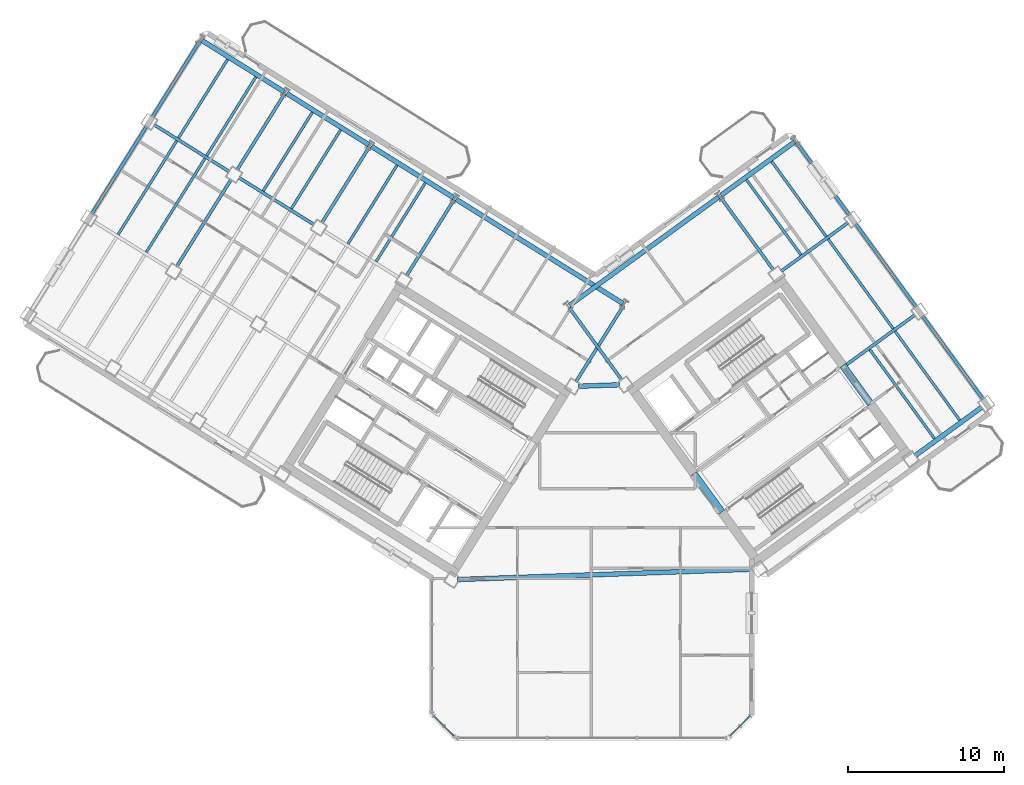
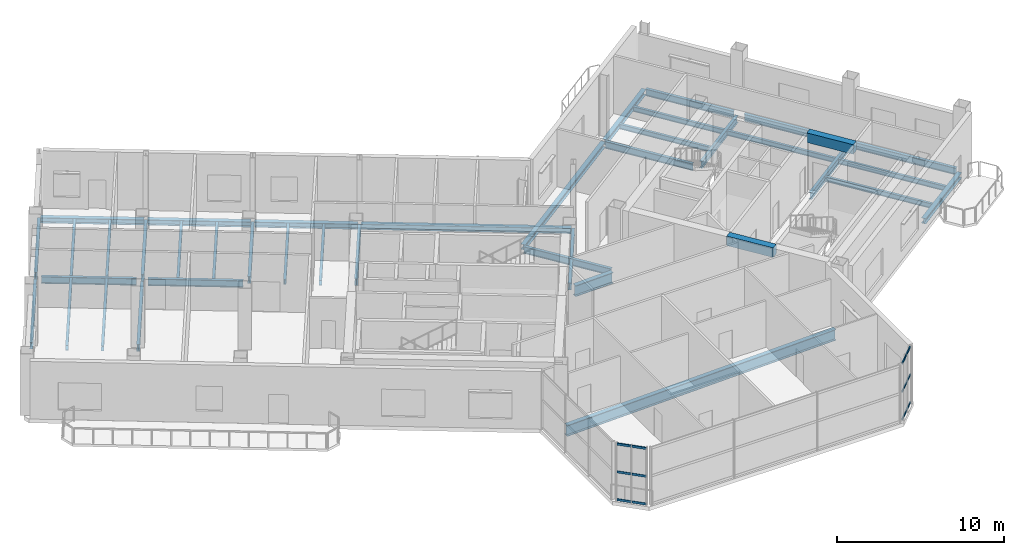
# One storey, part 7 of 20: 40 beams, 12 members, 2 elements without a shape of their own.
"""IFC4 building model written with IfcOpenShell, lengths in metres."""

import ifcopenshell
import ifcopenshell.guid

model = None  # the IFC model being written
_history = None  # IfcOwnerHistory: only IFC2X3 demands one
_inside = {}  # id of a spatial element -> (the spatial element, [elements in it])
_under = {}  # id of a project, library or spatial element -> (it, [spatial elements below it])
_declared = {}  # id of a project -> (the project, [libraries it declares])
_typed = {}  # id of a type object -> (the type object, [elements of that type])
_made_of = {}  # id of a material, layer set ... -> (it, [elements and type objects made of it])


def new_model(schema):
    """Start an empty IFC model of exactly this schema.

    Asked for "IFC4X3", IfcOpenShell would pick the latest addendum, in which some entities
    have other attributes; the version numbers below select the first issue.
    IFC2X3 requires an IfcOwnerHistory on every rooted entity: one is made here for all.
    """
    global model, _history
    if schema == "IFC4X3":
        model = ifcopenshell.file(schema_version=(4, 3, 0, 0))
    else:
        model = ifcopenshell.file(schema=schema)
    _inside.clear()
    _under.clear()
    _declared.clear()
    _typed.clear()
    _made_of.clear()
    _history = None
    if model.schema == "IFC2X3":
        org = make("IfcOrganization", Name="unknown")
        user = make(
            "IfcPersonAndOrganization",
            ThePerson=make("IfcPerson", FamilyName="unknown"),
            TheOrganization=org,
        )
        app = make(
            "IfcApplication",
            ApplicationDeveloper=org,
            Version="unknown",
            ApplicationFullName="unknown",
            ApplicationIdentifier="unknown",
        )
        _history = make(
            "IfcOwnerHistory",
            OwningUser=user,
            OwningApplication=app,
            ChangeAction="ADDED",
            CreationDate=0,
        )
    return model


def make(cls, **values):
    """One entity of the class cls with the attributes given. An attribute that is None is left unset."""
    return model.create_entity(
        cls, **{name: value for name, value in values.items() if value is not None}
    )


def rooted(cls, **values):
    """An entity with a GlobalId (a new one), such as an element, a storey or a relation."""
    return make(cls, GlobalId=ifcopenshell.guid.new(), OwnerHistory=_history, **values)


def si_unit(unit_type, name, prefix=None):
    """IfcSIUnit, for example si_unit("LENGTHUNIT", "METRE", prefix="MILLI")."""
    return make("IfcSIUnit", UnitType=unit_type, Prefix=prefix, Name=name)


def assignment(units):
    """IfcUnitAssignment: the units of a project."""
    return None if units is None else make("IfcUnitAssignment", Units=units)


def point(xyz):
    """IfcCartesianPoint."""
    return None if xyz is None else make("IfcCartesianPoint", Coordinates=xyz)


def direction(xyz):
    """IfcDirection."""
    return None if xyz is None else make("IfcDirection", DirectionRatios=xyz)


def frame(location, z_axis=None, x_axis=None):
    """IfcAxis2Placement3D, a coordinate frame: its origin and axes. An axis left out is left unset."""
    return make(
        "IfcAxis2Placement3D",
        Location=point(location),
        Axis=direction(z_axis),
        RefDirection=direction(x_axis),
    )


def frame_2d(location, x_axis=None):
    """IfcAxis2Placement2D, a coordinate frame in the plane: its origin and x axis."""
    return make(
        "IfcAxis2Placement2D", Location=point(location), RefDirection=direction(x_axis)
    )


def origin():
    """The frame at (0, 0, 0) with its axes left unset."""
    return frame((0.0, 0.0, 0.0))


def origin_2d():
    """The frame at (0, 0) in the plane with its x axis left unset."""
    return frame_2d((0.0, 0.0))


def place(relative_to, where):
    """IfcLocalPlacement: puts the frame where relative to a parent placement (None: the world)."""
    return make(
        "IfcLocalPlacement", PlacementRelTo=relative_to, RelativePlacement=where
    )


def context(
    kind, dimensions, precision=None, world=None, true_north=None, identifier=None
):
    """IfcGeometricRepresentationContext, for example the 3D "Model" context."""
    return make(
        "IfcGeometricRepresentationContext",
        ContextIdentifier=identifier,
        ContextType=kind,
        CoordinateSpaceDimension=dimensions,
        Precision=precision,
        WorldCoordinateSystem=world,
        TrueNorth=true_north,
    )


def subcontext(parent, identifier, kind, view, scale=None):
    """IfcGeometricRepresentationSubContext, for example "Body" below "Model"."""
    return make(
        "IfcGeometricRepresentationSubContext",
        ContextIdentifier=identifier,
        ContextType=kind,
        ParentContext=parent,
        TargetScale=scale,
        TargetView=view,
    )


def project(units=None, contexts=None):
    """IfcProject with its units and contexts."""
    return rooted(
        "IfcProject",
        Name="project",
        RepresentationContexts=contexts,
        UnitsInContext=assignment(units),
    )


def spatial(cls, under=None, at=None, **own):
    """A site, building, storey or space (cls), placed at a placement, below another one or the project."""
    s = rooted(cls, ObjectPlacement=at, **own)
    if under is not None:
        _under.setdefault(under.id(), (under, []))[1].append(s)
    return s


def profile(cls, at=None, kind="AREA", **sizes):
    """A parametric profile (cls). Its sizes go by their IFC names, for example OverallWidth=200.0."""
    return make(cls, ProfileType=kind, Position=at, **sizes)


def rectangle(**sizes):
    """IfcRectangleProfileDef."""
    return profile("IfcRectangleProfileDef", **sizes)


def hollow_rectangle(**sizes):
    """IfcRectangleHollowProfileDef."""
    return profile("IfcRectangleHollowProfileDef", **sizes)


def i_section(**sizes):
    """IfcIShapeProfileDef."""
    return profile("IfcIShapeProfileDef", **sizes)


def extrude(swept, where, along, depth):
    """IfcExtrudedAreaSolid: the profile swept, set in the frame where, extruded along a direction by depth."""
    return make(
        "IfcExtrudedAreaSolid",
        SweptArea=swept,
        Position=where,
        ExtrudedDirection=direction(along),
        Depth=depth,
    )


def shape(context_of_items, identifier, shape_type, items):
    """IfcShapeRepresentation: the items that make up one representation, for example the "Body"."""
    return make(
        "IfcShapeRepresentation",
        ContextOfItems=context_of_items,
        RepresentationIdentifier=identifier,
        RepresentationType=shape_type,
        Items=items,
    )


def source(mapping_origin, context_of_items, identifier, shape_type, items):
    """IfcRepresentationMap: a shape defined once, which mapped items show again and again."""
    return make(
        "IfcRepresentationMap",
        MappingOrigin=mapping_origin,
        MappedRepresentation=shape(context_of_items, identifier, shape_type, items),
    )


def transform(
    local_origin,
    x_axis=None,
    y_axis=None,
    z_axis=None,
    scale=None,
    scale2=None,
    scale3=None,
    uniform=True,
):
    """IfcCartesianTransformationOperator3D, or its non-uniform kind. x_axis, y_axis, z_axis: its Axis1, 2, 3."""
    if uniform:
        return make(
            "IfcCartesianTransformationOperator3D",
            Axis1=direction(x_axis),
            Axis2=direction(y_axis),
            LocalOrigin=point(local_origin),
            Scale=scale,
            Axis3=direction(z_axis),
        )
    return make(
        "IfcCartesianTransformationOperator3DnonUniform",
        Axis1=direction(x_axis),
        Axis2=direction(y_axis),
        LocalOrigin=point(local_origin),
        Scale=scale,
        Axis3=direction(z_axis),
        Scale2=scale2,
        Scale3=scale3,
    )


def mapped(mapping_source, mapping_target):
    """IfcMappedItem: shows the shape of a source again, moved by a transform."""
    return make(
        "IfcMappedItem", MappingSource=mapping_source, MappingTarget=mapping_target
    )


def material(Name=None, Category=None):
    """IfcMaterial."""
    return make("IfcMaterial", Name=Name, Category=Category)


def material_profile(
    of_material, cross_section, Name=None, Category=None, Priority=None
):
    """IfcMaterialProfile: a cross section and its material."""
    return make(
        "IfcMaterialProfile",
        Name=Name,
        Material=of_material,
        Profile=cross_section,
        Priority=Priority,
        Category=Category,
    )


def profile_set(profiles, Name=None, composite=None):
    """IfcMaterialProfileSet."""
    return make(
        "IfcMaterialProfileSet",
        Name=Name,
        MaterialProfiles=profiles,
        CompositeProfile=composite,
    )


def made_of(thing, what):
    """Note that an element or type object is made of a material, layer set ...; save() writes the relation."""
    if what is not None:
        _made_of.setdefault(what.id(), (what, []))[1].append(thing)
    return thing


def type_object(cls, material=None, **own):
    """A type object (cls), such as IfcWallType, which elements share."""
    return made_of(rooted(cls, **own), material)


def element(
    cls,
    number,
    at=None,
    inside=None,
    cuts=None,
    type_object=None,
    material=None,
    context=None,
    identifier="Body",
    shape_type=None,
    held_by="IfcProductDefinitionShape",
    body=None,
    shapes=None,
    **own,
):
    """One element of the class cls, such as IfcWall. Its Tag is "e" and its number.

    at: its placement. inside: the storey or other place that contains it. cuts: it is an
    opening in that element (IfcRelVoidsElement). A single representation is given by context,
    identifier, shape_type and body (its items); several are given by shapes. held_by: the class
    of the entity that holds the representations. save() writes the other relations.
    """
    e = rooted(cls, Tag="e%d" % number, ObjectPlacement=at, **own)
    if body is not None:
        shapes = [shape(context, identifier, shape_type, body)]
    if shapes is not None:
        e.Representation = make(held_by, Representations=shapes)
    if inside is not None:
        _inside.setdefault(inside.id(), (inside, []))[1].append(e)
    if cuts is not None:
        rooted(
            "IfcRelVoidsElement", RelatingBuildingElement=cuts, RelatedOpeningElement=e
        )
    if type_object is not None:
        _typed.setdefault(type_object.id(), (type_object, []))[1].append(e)
    return made_of(e, material)


def aggregate(whole, parts):
    """IfcRelAggregates: a whole, such as a stair, and the parts it consists of."""
    return rooted("IfcRelAggregates", RelatingObject=whole, RelatedObjects=parts)


def save(model, path):
    """Write the relations noted so far, then the file.

    IfcRelAggregates (storeys below a building ...), IfcRelContainedInSpatialStructure (elements
    in a storey), IfcRelDefinesByType, IfcRelAssociatesMaterial and IfcRelDeclares: one each for
    every whole, place, type object, material and project.
    """
    for whole, parts in _under.values():
        aggregate(whole, parts)
    for where, things in _inside.values():
        rooted(
            "IfcRelContainedInSpatialStructure",
            RelatedElements=things,
            RelatingStructure=where,
        )
    for kind, things in _typed.values():
        rooted("IfcRelDefinesByType", RelatedObjects=things, RelatingType=kind)
    for what, things in _made_of.values():
        rooted("IfcRelAssociatesMaterial", RelatedObjects=things, RelatingMaterial=what)
    for by, libraries in _declared.values():
        rooted("IfcRelDeclares", RelatingContext=by, RelatedDefinitions=libraries)
    model.write(path)


model = new_model("IFC4")

# Units and contexts
model_context = context("Model", 3, precision=1e-05, world=origin(), true_north=direction((0.0, 1.0)))
body_context = subcontext(model_context, "Body", "Model", "MODEL_VIEW")
ifc_project = project(units=[si_unit("LENGTHUNIT", "METRE"), si_unit("AREAUNIT", "SQUARE_METRE"), si_unit("VOLUMEUNIT", "CUBIC_METRE"), si_unit("PLANEANGLEUNIT", "RADIAN"), si_unit("MASSUNIT", "GRAM", prefix="KILO")], contexts=[model_context])

# Site, building, storey
site_placement = place(None, origin())
site = spatial("IfcSite", under=ifc_project, at=site_placement, CompositionType="ELEMENT")
building_placement = place(site_placement, origin())
building = spatial("IfcBuilding", under=site, at=building_placement, Name="Tlacorven Tower", CompositionType="ELEMENT")
storey_placement = place(building_placement, frame((0.0, 0.0, 195.0)))
storey = spatial("IfcBuildingStorey", under=building, at=storey_placement, Name="L49", CompositionType="ELEMENT", Elevation=195.0)

# Beams
ifc_material_1 = material(Name="Concrete C60/75", Category="concrete")
ifc_material_profile_1 = material_profile(ifc_material_1, rectangle(XDim=0.449951171875, YDim=0.699951171875, at=origin_2d()), Name="RC 450X700")
ifc_profile_set_1 = profile_set([ifc_material_profile_1], Name="Concrete C60/75")
beam_type_1 = type_object("IfcBeamType", Name="BM-LNT-700", PredefinedType="LINTEL", material=ifc_profile_set_1)
shared_shape_1 = source(origin(), body_context, "Body", "SweptSolid", [
    extrude(rectangle(XDim=0.449951171875, YDim=0.699951171875, at=origin_2d()), origin(), (0.0, 0.0, 1.0), 3.050048828125),
])
for number, where, z_axis, x_axis, name in (
    (1, (50.318359375, 16.416015625, 3.8701171875), (-0.587776590479, 0.80902328748, 0.0), (-0.80902328748, -0.587776590479, 0.0), "L49 E core coupling lintel beam E1"),
    (2, (59.856689453125, 23.345947265625, 3.8701171875), (-0.587776590479, 0.80902328748, 0.0), (-0.80902328748, -0.587776590479, 0.0), "L49 E core coupling lintel beam E2"),
):
    element("IfcBeam", number, at=place(storey_placement, frame(where, z_axis=z_axis, x_axis=x_axis)), inside=storey, type_object=beam_type_1, Name=name, PredefinedType="LINTEL", context=body_context, shape_type="MappedRepresentation", body=[
        mapped(shared_shape_1, transform((0.0, 0.0, 0.0), scale=1.0)),
    ])
ifc_material_2 = material(Name="Steel S355J2", Category="steel")
ifc_material_profile_2 = material_profile(ifc_material_2, i_section(OverallWidth=0.300048828125, OverallDepth=0.800048828125, WebThickness=0.017578125, FlangeThickness=0.032958984375, at=origin_2d()), Name="HEB 800")
ifc_profile_set_2 = profile_set([ifc_material_profile_2], Name="Steel S355J2")
beam_type_2 = type_object("IfcBeamType", Name="BM-POD-800", PredefinedType="BEAM", material=ifc_profile_set_2)
shared_shape_2 = source(origin(), body_context, "Body", "SweptSolid", [
    extrude(i_section(OverallWidth=0.300048828125, OverallDepth=0.800048828125, WebThickness=0.017578125, FlangeThickness=0.032958984375, at=origin_2d()), origin(), (0.0, 0.0, 1.0), 2.642822265625),
])
beam_1_placement = place(storey_placement, frame((41.1328125, 24.480712890625, -0.679931640625), z_axis=(0.999393314814, 0.034828182629, 0.0), x_axis=(-0.034828182629, 0.999393314814, 0.0)))
element("IfcBeam", 3, at=beam_1_placement, inside=storey, type_object=beam_type_2, Name="L49 Knuckle Link Girder 1", PredefinedType="BEAM", context=body_context, shape_type="MappedRepresentation", body=[
    mapped(shared_shape_2, transform((0.0, 0.0, 0.0), scale=1.0)),
])
ifc_material_profile_3 = material_profile(ifc_material_2, i_section(OverallWidth=0.199951171875, OverallDepth=0.5, WebThickness=0.01025390625, FlangeThickness=0.01611328125, at=origin_2d()), Name="IPE 500")
ifc_profile_set_3 = profile_set([ifc_material_profile_3], Name="Steel S355J2")
beam_type_3 = type_object("IfcBeamType", Name="BM-TWR-500", PredefinedType="BEAM", material=ifc_profile_set_3)
shared_shape_3 = source(origin(), body_context, "Body", "SweptSolid", [
    extrude(i_section(OverallWidth=0.199951171875, OverallDepth=0.5, WebThickness=0.01025390625, FlangeThickness=0.01611328125, at=origin_2d()), origin(), (0.0, 0.0, 1.0), 5.7001953125),
])
for number, where, z_axis, x_axis, name in (
    (4, (24.20361328125, 34.828369140625, -0.530029296875), (-0.848056048787, 0.529906537151, 0.0), (-0.529906537151, -0.848056048787, 0.0), "L49 beam BM-L49-WL2-4"),
    (5, (18.776123046875, 38.2197265625, -0.530029296875), (-0.848056048787, 0.529906537151, 0.0), (-0.529906537151, -0.848056048787, 0.0), "L49 beam BM-L49-WL2-5"),
):
    element("IfcBeam", number, at=place(storey_placement, frame(where, z_axis=z_axis, x_axis=x_axis)), inside=storey, type_object=beam_type_3, Name=name, PredefinedType="BEAM", context=body_context, shape_type="MappedRepresentation", body=[
        mapped(shared_shape_3, transform((0.0, 0.0, 0.0), scale=1.0)),
    ])
shared_shape_4 = source(origin(), body_context, "Body", "SweptSolid", [
    extrude(i_section(OverallWidth=0.199951171875, OverallDepth=0.5, WebThickness=0.01025390625, FlangeThickness=0.01611328125, at=origin_2d()), origin(), (0.0, 0.0, 1.0), 5.75),
])
for number, where, z_axis, x_axis, name in (
    (6, (44.015380859375, 29.6416015625, -0.530029296875), (-0.529884439831, -0.848069855864, 0.0), (0.848069855864, -0.529884439831, 0.0), "L49 beam BM-L49-WT1-1"),
    (7, (33.160400390625, 36.424560546875, -0.530029296875), (-0.529884439831, -0.848069855864, 0.0), (0.848069855864, -0.529884439831, 0.0), "L49 beam BM-L49-WT3-1"),
    (8, (27.73291015625, 39.81591796875, -0.530029296875), (-0.529934056882, -0.848038852504, 0.0), (0.848038852504, -0.529934056882, 0.0), "L49 beam BM-L49-WT4-1"),
    (9, (16.8779296875, 46.598876953125, -0.530029296875), (-0.529934056882, -0.848038852504, 0.0), (0.848038852504, -0.529934056882, 0.0), "L49 beam BM-L49-WT6-1"),
    (10, (43.91796875, 24.8681640625, -0.530029296875), (-0.587770208527, 0.809027924097, 0.0), (-0.809027924097, -0.587770208527, 0.0), "L49 beam BM-L49-ET1-2"),
    (11, (53.626220703125, 31.921630859375, -0.530029296875), (-0.587770208527, 0.809027924097, 0.0), (-0.809027924097, -0.587770208527, 0.0), "L49 beam BM-L49-ET3-2"),
    (12, (58.480224609375, 35.4482421875, -0.530029296875), (-0.587770208527, 0.809027924097, 0.0), (-0.809027924097, -0.587770208527, 0.0), "L49 beam BM-L49-ET4-3"),
):
    element("IfcBeam", number, at=place(storey_placement, frame(where, z_axis=z_axis, x_axis=x_axis)), inside=storey, type_object=beam_type_3, Name=name, PredefinedType="BEAM", context=body_context, shape_type="MappedRepresentation", body=[
        mapped(shared_shape_4, transform((0.0, 0.0, 0.0), scale=1.0)),
    ])
shared_shape_5 = source(origin(), body_context, "Body", "SweptSolid", [
    extrude(i_section(OverallWidth=0.199951171875, OverallDepth=0.5, WebThickness=0.01025390625, FlangeThickness=0.01611328125, at=origin_2d()), origin(), (0.0, 0.0, 1.0), 6.599853515625),
])
beam_2_placement = place(storey_placement, frame((13.4599609375, 41.12890625, -0.530029296875), z_axis=(-0.529942412256, -0.848033631227, 0.0), x_axis=(0.848033631227, -0.529942412256, 0.0)))
element("IfcBeam", 13, at=beam_2_placement, inside=storey, type_object=beam_type_3, Name="L49 beam BM-L49-WT6-2", PredefinedType="BEAM", context=body_context, shape_type="MappedRepresentation", body=[
    mapped(shared_shape_5, transform((0.0, 0.0, 0.0), scale=1.0)),
])
shared_shape_6 = source(origin(), body_context, "Body", "SweptSolid", [
    extrude(i_section(OverallWidth=0.199951171875, OverallDepth=0.5, WebThickness=0.01025390625, FlangeThickness=0.01611328125, at=origin_2d()), origin(), (0.0, 0.0, 1.0), 6.60009765625),
])
for number, where, z_axis, x_axis, name in (
    (14, (18.887451171875, 37.737548828125, -0.530029296875), (-0.529925788294, -0.848044019436, 0.0), (0.848044019436, -0.529925788294, 0.0), "L49 beam BM-L49-WT5-2"),
    (15, (67.06201171875, 23.63671875, -0.530029296875), (-0.587780128583, 0.809020716943, 0.0), (-0.809020716943, -0.587780128583, 0.0), "L49 beam BM-L49-ET4-1"),
    (16, (62.771240234375, 29.54248046875, -0.530029296875), (-0.587780128583, 0.809020716943, 0.0), (-0.809020716943, -0.587780128583, 0.0), "L49 beam BM-L49-ET4-2"),
):
    element("IfcBeam", number, at=place(storey_placement, frame(where, z_axis=z_axis, x_axis=x_axis)), inside=storey, type_object=beam_type_3, Name=name, PredefinedType="BEAM", context=body_context, shape_type="MappedRepresentation", body=[
        mapped(shared_shape_6, transform((0.0, 0.0, 0.0), scale=1.0)),
    ])
shared_shape_7 = source(origin(), body_context, "Body", "SweptSolid", [
    extrude(i_section(OverallWidth=0.199951171875, OverallDepth=0.5, WebThickness=0.01025390625, FlangeThickness=0.01611328125, at=origin_2d()), origin(), (0.0, 0.0, 1.0), 5.750244140625),
])
beam_3_placement = place(storey_placement, frame((22.305419921875, 43.20751953125, -0.530029296875), z_axis=(-0.529914976044, -0.848050775699, 0.0), x_axis=(0.848050775699, -0.529914976044, 0.0)))
element("IfcBeam", 17, at=beam_3_placement, inside=storey, type_object=beam_type_3, Name="L49 beam BM-L49-WT5-1", PredefinedType="BEAM", context=body_context, shape_type="MappedRepresentation", body=[
    mapped(shared_shape_7, transform((0.0, 0.0, 0.0), scale=1.0)),
])
ifc_material_profile_4 = material_profile(ifc_material_2, i_section(OverallWidth=0.169921875, OverallDepth=0.360107421875, WebThickness=0.008056640625, FlangeThickness=0.0126953125, at=origin_2d()), Name="IPE 360")
ifc_profile_set_4 = profile_set([ifc_material_profile_4], Name="Steel S355J2")
beam_type_4 = type_object("IfcBeamType", Name="BM-JST-360", PredefinedType="JOIST", material=ifc_profile_set_4)
shared_shape_8 = source(origin(), body_context, "Body", "SweptSolid", [
    extrude(i_section(OverallWidth=0.169921875, OverallDepth=0.360107421875, WebThickness=0.008056640625, FlangeThickness=0.0126953125, at=origin_2d()), origin(), (0.0, 0.0, 1.0), 7.0400390625),
])
beam_4_placement = place(storey_placement, frame((63.9404296875, 21.127685546875, -0.4599609375), z_axis=(-0.587773661987, 0.809025415098, 0.0), x_axis=(-0.809025415098, -0.587773661987, 0.0)))
element("IfcBeam", 18, at=beam_4_placement, inside=storey, type_object=beam_type_4, Name="L49 beam BM-L49-EJ3-1-1", PredefinedType="JOIST", context=body_context, shape_type="MappedRepresentation", body=[
    mapped(shared_shape_8, transform((0.0, 0.0, 0.0), scale=1.0)),
])
shared_shape_9 = source(origin(), body_context, "Body", "SweptSolid", [
    extrude(i_section(OverallWidth=0.169921875, OverallDepth=0.360107421875, WebThickness=0.008056640625, FlangeThickness=0.0126953125, at=origin_2d()), origin(), (0.0, 0.0, 1.0), 5.940185546875),
])
for number, where, z_axis, x_axis, name in (
    (19, (29.512939453125, 38.638916015625, -0.4599609375), (-0.529902882565, -0.848058332339, 0.0), (0.848058332339, -0.529902882565, 0.0), "L49 beam BM-L49-WJ3-1-2"),
    (20, (25.894775390625, 40.899658203125, -0.4599609375), (-0.529950911506, -0.848028319924, 0.0), (0.848028319924, -0.529950911506, 0.0), "L49 beam BM-L49-WJ4-1-1"),
    (21, (18.657958984375, 45.421875, -0.4599609375), (-0.529902882565, -0.848058332339, 0.0), (0.848058332339, -0.529902882565, 0.0), "L49 beam BM-L49-WJ5-1-2"),
    (22, (55.38818359375, 32.89892578125, -0.4599609375), (-0.587778174144, 0.809022136903, 0.0), (-0.809022136903, -0.587778174144, 0.0), "L49 beam BM-L49-EJ3-3-1"),
    (23, (57.00634765625, 34.074462890625, -0.4599609375), (-0.587778174144, 0.809022136903, 0.0), (-0.809022136903, -0.587778174144, 0.0), "L49 beam BM-L49-EJ3-3-2"),
):
    element("IfcBeam", number, at=place(storey_placement, frame(where, z_axis=z_axis, x_axis=x_axis)), inside=storey, type_object=beam_type_4, Name=name, PredefinedType="JOIST", context=body_context, shape_type="MappedRepresentation", body=[
        mapped(shared_shape_9, transform((0.0, 0.0, 0.0), scale=1.0)),
    ])
shared_shape_10 = source(origin(), body_context, "Body", "SweptSolid", [
    extrude(i_section(OverallWidth=0.169921875, OverallDepth=0.360107421875, WebThickness=0.008056640625, FlangeThickness=0.0126953125, at=origin_2d()), origin(), (0.0, 0.0, 1.0), 7.090087890625),
])
for number, where, z_axis, x_axis, name in (
    (24, (17.208251953125, 39.07568359375, -0.4599609375), (-0.529937035031, -0.848036991471, 0.0), (0.848036991471, -0.529937035031, 0.0), "L49 beam BM-L49-WJ5-2-1"),
    (25, (15.39892578125, 40.206298828125, -0.4599609375), (-0.529912270669, -0.84805246618, 0.0), (0.84805246618, -0.529912270669, 0.0), "L49 beam BM-L49-WJ5-2-2"),
    (26, (61.297119140625, 28.168701171875, -0.4599609375), (-0.587782622309, 0.809018905164, 0.0), (-0.809018905164, -0.587782622309, 0.0), "L49 beam BM-L49-EJ3-2-2"),
):
    element("IfcBeam", number, at=place(storey_placement, frame(where, z_axis=z_axis, x_axis=x_axis)), inside=storey, type_object=beam_type_4, Name=name, PredefinedType="JOIST", context=body_context, shape_type="MappedRepresentation", body=[
        mapped(shared_shape_10, transform((0.0, 0.0, 0.0), scale=1.0)),
    ])
shared_shape_11 = source(origin(), body_context, "Body", "SweptSolid", [
    extrude(i_section(OverallWidth=0.169921875, OverallDepth=0.360107421875, WebThickness=0.008056640625, FlangeThickness=0.0126953125, at=origin_2d()), origin(), (0.0, 0.0, 1.0), 5.93994140625),
])
for number, where, z_axis, x_axis, name in (
    (27, (31.322265625, 37.50830078125, -0.4599609375), (-0.529921352973, -0.848046790963, 0.0), (0.848046790963, -0.529921352973, 0.0), "L49 beam BM-L49-WJ3-1-1"),
    (28, (24.08544921875, 42.0302734375, -0.4599609375), (-0.529921352973, -0.848046790963, 0.0), (0.848046790963, -0.529921352973, 0.0), "L49 beam BM-L49-WJ4-1-2"),
    (29, (20.467041015625, 44.291259765625, -0.4599609375), (-0.529921352973, -0.848046790963, 0.0), (0.848046790963, -0.529921352973, 0.0), "L49 beam BM-L49-WJ5-1-1"),
):
    element("IfcBeam", number, at=place(storey_placement, frame(where, z_axis=z_axis, x_axis=x_axis)), inside=storey, type_object=beam_type_4, Name=name, PredefinedType="JOIST", context=body_context, shape_type="MappedRepresentation", body=[
        mapped(shared_shape_11, transform((0.0, 0.0, 0.0), scale=1.0)),
    ])
shared_shape_12 = source(origin(), body_context, "Body", "SweptSolid", [
    extrude(i_section(OverallWidth=0.169921875, OverallDepth=0.360107421875, WebThickness=0.008056640625, FlangeThickness=0.0126953125, at=origin_2d()), origin(), (0.0, 0.0, 1.0), 7.039794921875),
])
beam_5_placement = place(storey_placement, frame((65.55859375, 22.303466796875, -0.4599609375), z_axis=(-0.587790152999, 0.809013433781, 0.0), x_axis=(-0.809013433781, -0.587790152999, 0.0)))
element("IfcBeam", 30, at=beam_5_placement, inside=storey, type_object=beam_type_4, Name="L49 beam BM-L49-EJ3-1-2", PredefinedType="JOIST", context=body_context, shape_type="MappedRepresentation", body=[
    mapped(shared_shape_12, transform((0.0, 0.0, 0.0), scale=1.0)),
])
shared_shape_13 = source(origin(), body_context, "Body", "SweptSolid", [
    extrude(i_section(OverallWidth=0.199951171875, OverallDepth=0.5, WebThickness=0.01025390625, FlangeThickness=0.01611328125, at=origin_2d()), origin(), (0.0, 0.0, 1.0), 5.300048828125),
])
beam_6_placement = place(storey_placement, frame((54.114990234375, 31.84423828125, -0.530029296875), z_axis=(0.809022830186, 0.587777219904, 0.0), x_axis=(-0.587777219904, 0.809022830186, 0.0)))
element("IfcBeam", 31, at=beam_6_placement, inside=storey, type_object=beam_type_3, Name="L49 beam BM-L49-EL3-3", PredefinedType="BEAM", context=body_context, shape_type="MappedRepresentation", body=[
    mapped(shared_shape_13, transform((0.0, 0.0, 0.0), scale=1.0)),
])
shared_shape_14 = source(origin(), body_context, "Body", "SweptSolid", [
    extrude(i_section(OverallWidth=0.199951171875, OverallDepth=0.5, WebThickness=0.01025390625, FlangeThickness=0.01611328125, at=origin_2d()), origin(), (0.0, 0.0, 1.0), 5.6103515625),
])
beam_7_placement = place(storey_placement, frame((58.155029296875, 25.756103515625, -0.530029296875), z_axis=(0.809020142627, 0.587780919071, 0.0), x_axis=(-0.587780919071, 0.809020142627, 0.0)))
element("IfcBeam", 32, at=beam_7_placement, inside=storey, type_object=beam_type_3, Name="L49 beam BM-L49-EL2-3", PredefinedType="BEAM", context=body_context, shape_type="MappedRepresentation", body=[
    mapped(shared_shape_14, transform((0.0, 0.0, 0.0), scale=1.0)),
])
shared_shape_15 = source(origin(), body_context, "Body", "SweptSolid", [
    extrude(i_section(OverallWidth=0.300048828125, OverallDepth=0.800048828125, WebThickness=0.017578125, FlangeThickness=0.032958984375, at=origin_2d()), origin(), (0.0, 0.0, 1.0), 18.97119140625),
])
beam_8_placement = place(storey_placement, frame((33.39599609375, 12.09912109375, -0.679931640625), z_axis=(0.999390787537, 0.034900627304, 0.0), x_axis=(-0.034900627304, 0.999390787537, 0.0)))
element("IfcBeam", 33, at=beam_8_placement, inside=storey, type_object=beam_type_2, Name="L49 Knuckle Link Girder 2", PredefinedType="BEAM", context=body_context, shape_type="MappedRepresentation", body=[
    mapped(shared_shape_15, transform((0.0, 0.0, 0.0), scale=1.0)),
])
ifc_material_profile_5 = material_profile(ifc_material_2, i_section(OverallWidth=0.300048828125, OverallDepth=0.389892578125, WebThickness=0.010986328125, FlangeThickness=0.01904296875, at=origin_2d()), Name="HEA 400")
ifc_profile_set_5 = profile_set([ifc_material_profile_5], Name="Steel S355J2")
beam_type_5 = type_object("IfcBeamType", Name="BM-SPN-400", PredefinedType="SPANDREL", material=ifc_profile_set_5)
shared_shape_16 = source(origin(), body_context, "Body", "SweptSolid", [
    extrude(i_section(OverallWidth=0.300048828125, OverallDepth=0.389892578125, WebThickness=0.010986328125, FlangeThickness=0.01904296875, at=origin_2d()), origin(), (0.0, 0.0, 1.0), 12.599853515625),
])
beam_9_placement = place(storey_placement, frame((43.983642578125, 29.779296875, -0.47509765625), z_axis=(-0.848045108756, 0.529924045043, 0.0), x_axis=(-0.529924045043, -0.848045108756, 0.0)))
element("IfcBeam", 34, at=beam_9_placement, inside=storey, type_object=beam_type_5, Name="L49 beam BM-L49-WL1-1", PredefinedType="SPANDREL", context=body_context, shape_type="MappedRepresentation", body=[
    mapped(shared_shape_16, transform((0.0, 0.0, 0.0), scale=1.0)),
])
shared_shape_17 = source(origin(), body_context, "Body", "SweptSolid", [
    extrude(i_section(OverallWidth=0.300048828125, OverallDepth=0.389892578125, WebThickness=0.010986328125, FlangeThickness=0.01904296875, at=origin_2d()), origin(), (0.0, 0.0, 1.0), 6.199951171875),
])
beam_10_placement = place(storey_placement, frame((33.128662109375, 36.562255859375, -0.47509765625), z_axis=(-0.848051394107, 0.529913986372, 0.0), x_axis=(-0.529913986372, -0.848051394107, 0.0)))
element("IfcBeam", 35, at=beam_10_placement, inside=storey, type_object=beam_type_5, Name="L49 beam BM-L49-WL1-3", PredefinedType="SPANDREL", context=body_context, shape_type="MappedRepresentation", body=[
    mapped(shared_shape_17, transform((0.0, 0.0, 0.0), scale=1.0)),
])
shared_shape_18 = source(origin(), body_context, "Body", "SweptSolid", [
    extrude(i_section(OverallWidth=0.300048828125, OverallDepth=0.389892578125, WebThickness=0.010986328125, FlangeThickness=0.01904296875, at=origin_2d()), origin(), (0.0, 0.0, 1.0), 6.2001953125),
])
for number, where, z_axis, x_axis, name in (
    (36, (27.701171875, 39.95361328125, -0.47509765625), (-0.84804475579, 0.5299246099, 0.0), (-0.5299246099, -0.84804475579, 0.0), "L49 beam BM-L49-WL1-4"),
    (37, (22.273681640625, 43.34521484375, -0.47509765625), (-0.848062451332, 0.529896290457, 0.0), (-0.529896290457, -0.848062451332, 0.0), "L49 beam BM-L49-WL1-5"),
):
    element("IfcBeam", number, at=place(storey_placement, frame(where, z_axis=z_axis, x_axis=x_axis)), inside=storey, type_object=beam_type_5, Name=name, PredefinedType="SPANDREL", context=body_context, shape_type="MappedRepresentation", body=[
        mapped(shared_shape_18, transform((0.0, 0.0, 0.0), scale=1.0)),
    ])
shared_shape_19 = source(origin(), body_context, "Body", "SweptSolid", [
    extrude(i_section(OverallWidth=0.300048828125, OverallDepth=0.389892578125, WebThickness=0.010986328125, FlangeThickness=0.01904296875, at=origin_2d()), origin(), (0.0, 0.0, 1.0), 5.300048828125),
])
beam_11_placement = place(storey_placement, frame((62.69677734375, 20.032470703125, -0.47509765625), z_axis=(0.809022830186, 0.587777219904, 0.0), x_axis=(-0.587777219904, 0.809022830186, 0.0)))
element("IfcBeam", 38, at=beam_11_placement, inside=storey, type_object=beam_type_5, Name="L49 beam BM-L49-EL1-3", PredefinedType="SPANDREL", context=body_context, shape_type="MappedRepresentation", body=[
    mapped(shared_shape_19, transform((0.0, 0.0, 0.0), scale=1.0)),
])
shared_shape_20 = source(origin(), body_context, "Body", "SweptSolid", [
    extrude(i_section(OverallWidth=0.300048828125, OverallDepth=0.389892578125, WebThickness=0.010986328125, FlangeThickness=0.01904296875, at=origin_2d()), origin(), (0.0, 0.0, 1.0), 11.800048828125),
])
beam_12_placement = place(storey_placement, frame((40.560302734375, 29.65966796875, -0.47509765625), z_axis=(0.80900977213, 0.587795192732, 0.0), x_axis=(-0.587795192732, 0.80900977213, 0.0)))
element("IfcBeam", 39, at=beam_12_placement, inside=storey, type_object=beam_type_5, Name="L49 beam BM-L49-EL4-1", PredefinedType="SPANDREL", context=body_context, shape_type="MappedRepresentation", body=[
    mapped(shared_shape_20, transform((0.0, 0.0, 0.0), scale=1.0)),
])
shared_shape_21 = source(origin(), body_context, "Body", "SweptSolid", [
    extrude(i_section(OverallWidth=0.300048828125, OverallDepth=0.389892578125, WebThickness=0.010986328125, FlangeThickness=0.01904296875, at=origin_2d()), origin(), (0.0, 0.0, 1.0), 5.800048828125),
])
beam_13_placement = place(storey_placement, frame((50.2685546875, 36.713134765625, -0.47509765625), z_axis=(0.809019944521, 0.587781191743, 0.0), x_axis=(-0.587781191743, 0.809019944521, 0.0)))
element("IfcBeam", 40, at=beam_13_placement, inside=storey, type_object=beam_type_5, Name="L49 beam BM-L49-EL4-3", PredefinedType="SPANDREL", context=body_context, shape_type="MappedRepresentation", body=[
    mapped(shared_shape_21, transform((0.0, 0.0, 0.0), scale=1.0)),
])

# Curtain wall, members
ifc_material_3 = material(Name="Dark solar low-E double glazing in aluminium frame", Category="aluminium")
curtain_wall_type = type_object("IfcCurtainWallType", Name="CW-COM-AMENITY", PredefinedType="USERDEFINED", material=ifc_material_3)
curtain_wall_1_placement = place(storey_placement, origin())
curtain_wall_1 = element("IfcCurtainWall", 41, at=curtain_wall_1_placement, inside=storey, type_object=curtain_wall_type, Name="L49 CW-COM-AMENITY Curtain Wall 224", ObjectType="UNITISED CURTAIN WALL", PredefinedType="USERDEFINED")
ifc_material_4 = material(Name="Aluminium 6063-T6 anodised", Category="aluminium")
ifc_material_profile_6 = material_profile(ifc_material_4, hollow_rectangle(XDim=0.06494140625, YDim=0.159912109375, WallThickness=0.00390625, at=origin_2d()), Name="ALU TRANSOM 65X160")
ifc_profile_set_6 = profile_set([ifc_material_profile_6], Name="Aluminium 6063-T6 anodised")
member_type = type_object("IfcMemberType", Name="CWT-01", PredefinedType="USERDEFINED", material=ifc_profile_set_6)
shared_shape_22 = source(origin(), body_context, "Body", "SweptSolid", [
    extrude(hollow_rectangle(XDim=0.06494140625, YDim=0.159912109375, WallThickness=0.00390625, at=origin_2d()), origin(), (0.0, 0.0, 1.0), 0.8837890625),
])
member_1_placement = place(storey_placement, frame((52.128173828125, 3.3544921875, 0.080078125), z_axis=(-0.707106781187, -0.707106781187, 0.0), x_axis=(0.707106781187, -0.707106781187, 0.0)))
member_1 = element("IfcMember", 42, at=member_1_placement, type_object=member_type, Name="CW-L49-224 Transom 1", ObjectType="TRANSOM", PredefinedType="USERDEFINED", context=body_context, shape_type="MappedRepresentation", body=[
    mapped(shared_shape_22, transform((0.0, 0.0, 0.0), scale=1.0)),
])
member_2_placement = place(storey_placement, frame((52.128173828125, 3.3544921875, 2.110107421875), z_axis=(-0.707106781187, -0.707106781187, 0.0), x_axis=(0.707106781187, -0.707106781187, 0.0)))
member_2 = element("IfcMember", 43, at=member_2_placement, type_object=member_type, Name="CW-L49-224 Transom 2", ObjectType="TRANSOM", PredefinedType="USERDEFINED", context=body_context, shape_type="MappedRepresentation", body=[
    mapped(shared_shape_22, transform((0.0, 0.0, 0.0), scale=1.0)),
])
member_3_placement = place(storey_placement, frame((52.128173828125, 3.3544921875, 4.139892578125), z_axis=(-0.707106781187, -0.707106781187, 0.0), x_axis=(0.707106781187, -0.707106781187, 0.0)))
member_3 = element("IfcMember", 44, at=member_3_placement, type_object=member_type, Name="CW-L49-224 Transom 3", ObjectType="TRANSOM", PredefinedType="USERDEFINED", context=body_context, shape_type="MappedRepresentation", body=[
    mapped(shared_shape_22, transform((0.0, 0.0, 0.0), scale=1.0)),
])

curtain_wall_2_placement = place(storey_placement, origin())
curtain_wall_2 = element("IfcCurtainWall", 45, at=curtain_wall_2_placement, inside=storey, type_object=curtain_wall_type, Name="L49 CW-COM-AMENITY Curtain Wall 226", ObjectType="UNITISED CURTAIN WALL", PredefinedType="USERDEFINED")
member_4_placement = place(storey_placement, frame((32.496826171875, 2.7294921875, 0.080078125), z_axis=(-0.707106781187, 0.707106781187, 0.0), x_axis=(-0.707106781187, -0.707106781187, 0.0)))
member_4 = element("IfcMember", 46, at=member_4_placement, type_object=member_type, Name="CW-L49-226 Transom 4", ObjectType="TRANSOM", PredefinedType="USERDEFINED", context=body_context, shape_type="MappedRepresentation", body=[
    mapped(shared_shape_22, transform((0.0, 0.0, 0.0), scale=1.0)),
])
member_5_placement = place(storey_placement, frame((32.496826171875, 2.7294921875, 2.110107421875), z_axis=(-0.707106781187, 0.707106781187, 0.0), x_axis=(-0.707106781187, -0.707106781187, 0.0)))
member_5 = element("IfcMember", 47, at=member_5_placement, type_object=member_type, Name="CW-L49-226 Transom 5", ObjectType="TRANSOM", PredefinedType="USERDEFINED", context=body_context, shape_type="MappedRepresentation", body=[
    mapped(shared_shape_22, transform((0.0, 0.0, 0.0), scale=1.0)),
])
member_6_placement = place(storey_placement, frame((32.496826171875, 2.7294921875, 4.139892578125), z_axis=(-0.707106781187, 0.707106781187, 0.0), x_axis=(-0.707106781187, -0.707106781187, 0.0)))
member_6 = element("IfcMember", 48, at=member_6_placement, type_object=member_type, Name="CW-L49-226 Transom 6", ObjectType="TRANSOM", PredefinedType="USERDEFINED", context=body_context, shape_type="MappedRepresentation", body=[
    mapped(shared_shape_22, transform((0.0, 0.0, 0.0), scale=1.0)),
])

# Member
shared_shape_23 = source(origin(), body_context, "Body", "SweptSolid", [
    extrude(hollow_rectangle(XDim=0.06494140625, YDim=0.159912109375, WallThickness=0.00390625, at=origin_2d()), origin(), (0.0, 0.0, 1.0), 0.884033203125),
])
member_7_placement = place(storey_placement, frame((51.470703125, 2.69677734375, 0.080078125), z_axis=(-0.707244847527, -0.706968687883, 0.0), x_axis=(0.706968687883, -0.707244847527, 0.0)))
member_7 = element("IfcMember", 49, at=member_7_placement, type_object=member_type, Name="CW-L49-224 Transom 4", ObjectType="TRANSOM", PredefinedType="USERDEFINED", context=body_context, shape_type="MappedRepresentation", body=[
    mapped(shared_shape_23, transform((0.0, 0.0, 0.0), scale=1.0)),
])

member_8_placement = place(storey_placement, frame((51.470703125, 2.69677734375, 2.110107421875), z_axis=(-0.707244847527, -0.706968687883, 0.0), x_axis=(0.706968687883, -0.707244847527, 0.0)))
member_8 = element("IfcMember", 50, at=member_8_placement, type_object=member_type, Name="CW-L49-224 Transom 5", ObjectType="TRANSOM", PredefinedType="USERDEFINED", context=body_context, shape_type="MappedRepresentation", body=[
    mapped(shared_shape_23, transform((0.0, 0.0, 0.0), scale=1.0)),
])

member_9_placement = place(storey_placement, frame((51.470703125, 2.69677734375, 4.139892578125), z_axis=(-0.707244847527, -0.706968687883, 0.0), x_axis=(0.706968687883, -0.707244847527, 0.0)))
member_9 = element("IfcMember", 51, at=member_9_placement, type_object=member_type, Name="CW-L49-224 Transom 6", ObjectType="TRANSOM", PredefinedType="USERDEFINED", context=body_context, shape_type="MappedRepresentation", body=[
    mapped(shared_shape_23, transform((0.0, 0.0, 0.0), scale=1.0)),
])

aggregate(curtain_wall_1, [member_1, member_2, member_3, member_7, member_8, member_9])

member_10_placement = place(storey_placement, frame((33.154541015625, 2.07177734375, 0.080078125), z_axis=(-0.707244847527, 0.706968687883, 0.0), x_axis=(-0.706968687883, -0.707244847527, 0.0)))
member_10 = element("IfcMember", 52, at=member_10_placement, type_object=member_type, Name="CW-L49-226 Transom 1", ObjectType="TRANSOM", PredefinedType="USERDEFINED", context=body_context, shape_type="MappedRepresentation", body=[
    mapped(shared_shape_23, transform((0.0, 0.0, 0.0), scale=1.0)),
])

member_11_placement = place(storey_placement, frame((33.154541015625, 2.07177734375, 2.110107421875), z_axis=(-0.707244847527, 0.706968687883, 0.0), x_axis=(-0.706968687883, -0.707244847527, 0.0)))
member_11 = element("IfcMember", 53, at=member_11_placement, type_object=member_type, Name="CW-L49-226 Transom 2", ObjectType="TRANSOM", PredefinedType="USERDEFINED", context=body_context, shape_type="MappedRepresentation", body=[
    mapped(shared_shape_23, transform((0.0, 0.0, 0.0), scale=1.0)),
])

member_12_placement = place(storey_placement, frame((33.154541015625, 2.07177734375, 4.139892578125), z_axis=(-0.707244847527, 0.706968687883, 0.0), x_axis=(-0.706968687883, -0.707244847527, 0.0)))
member_12 = element("IfcMember", 54, at=member_12_placement, type_object=member_type, Name="CW-L49-226 Transom 3", ObjectType="TRANSOM", PredefinedType="USERDEFINED", context=body_context, shape_type="MappedRepresentation", body=[
    mapped(shared_shape_23, transform((0.0, 0.0, 0.0), scale=1.0)),
])

aggregate(curtain_wall_2, [member_10, member_11, member_12, member_4, member_5, member_6])

save(model, "model.ifc")
